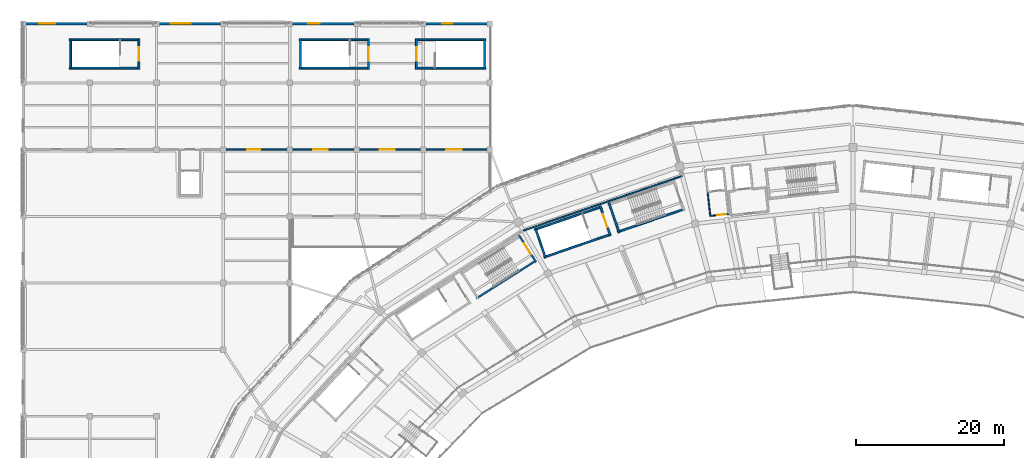
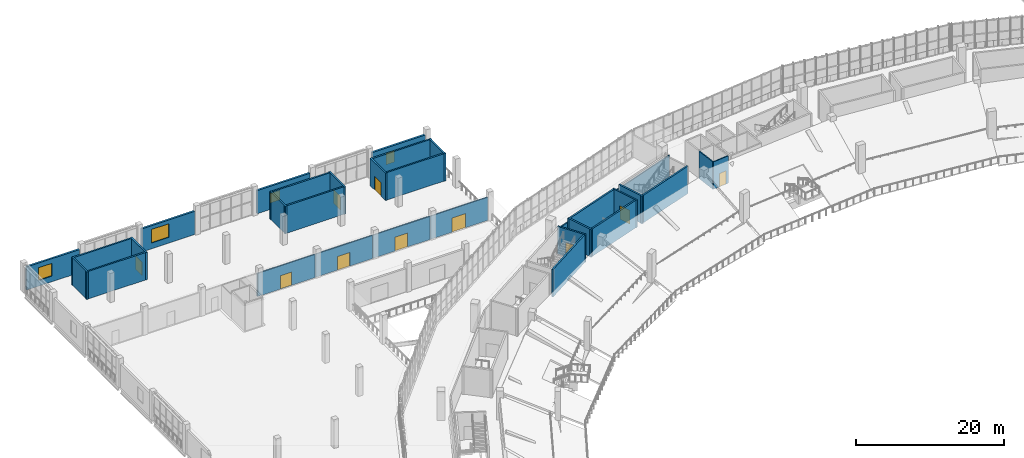
# One storey, part 99 of 152: 31 walls, 10 doors, 4 windows, 14 openings.
"""IFC4 building model written with IfcOpenShell, lengths in metres."""

from ifc_helpers import new_model, si_unit, direction, frame, frame_2d, origin, place, context, subcontext, project, spatial, rectangle, extrude, material, layer, layer_set, type_object, element, fill, save


model = new_model("IFC4")

# Units and contexts
model_context = context("Model", 3, precision=1e-05, world=origin(), true_north=direction((0.0, 1.0)))
body_context = subcontext(model_context, "Body", "Model", "MODEL_VIEW")
ifc_project = project(units=[si_unit("LENGTHUNIT", "METRE"), si_unit("AREAUNIT", "SQUARE_METRE"), si_unit("VOLUMEUNIT", "CUBIC_METRE"), si_unit("PLANEANGLEUNIT", "RADIAN"), si_unit("MASSUNIT", "GRAM", prefix="KILO")], contexts=[model_context])

# Site, building, storey
site_placement = place(None, origin())
site = spatial("IfcSite", under=ifc_project, at=site_placement, CompositionType="ELEMENT")
building_placement = place(site_placement, origin())
building = spatial("IfcBuilding", under=site, at=building_placement, Name="Zevraka Park Crest Stadium", CompositionType="ELEMENT")
storey_placement = place(building_placement, frame((0.0, 0.0, 15.0)))
storey = spatial("IfcBuildingStorey", under=building, at=storey_placement, Name="L03", CompositionType="ELEMENT", Elevation=15.0)

# Wall, opening, window
ifc_material_1 = material(Name="Limestone and red clay brick masonry", Category="masonry")
ifc_layer_1 = layer(ifc_material_1, 0.300048828125)
ifc_layer_set_1 = layer_set([ifc_layer_1], Name="Limestone and red clay brick masonry")
wall_type_1 = type_object("IfcWallType", Name="EW02", PredefinedType="STANDARD", material=ifc_layer_set_1)
wall_1_placement = place(storey_placement, frame((0.35009765625, 184.0, 0.0), z_axis=(0.0, 0.0, 1.0), x_axis=(1.0, 0.0, 0.0)))
wall_1 = element("IfcWall", 1, at=wall_1_placement, inside=storey, type_object=wall_type_1, Name="Wing External Cavity Wall EW02 L03-NW-N2-1", PredefinedType="STANDARD", context=body_context, shape_type="SweptSolid", body=[
    extrude(rectangle(XDim=8.2998046875, YDim=0.300048828125, at=frame_2d((4.14990234375, 0.0))), origin(), (0.0, 0.0, 1.0), 3.823486328125),
])
opening_1_placement = place(wall_1_placement, frame((1.85498046875, 0.0, 0.949951171875)))
opening_1 = element("IfcOpeningElement", 2, at=opening_1_placement, cuts=wall_1, Name="Opening WN06", PredefinedType="OPENING", context=body_context, shape_type="SweptSolid", body=[
    extrude(rectangle(XDim=2.10009765625, YDim=2.10009765625, at=frame_2d((1.050048828125, 1.050048828125))), frame((0.0, 0.159912109375, 0.0), z_axis=(0.0, -1.0, 0.0), x_axis=(1.0, 0.0, 0.0)), (0.0, 0.0, 1.0), 0.320068359375),
])
ifc_material_2 = material(Name="Solar-control laminated double glazing in aluminium frame", Category="aluminium")
window_type_1 = type_object("IfcWindowType", Name="WN06", PartitioningType="SINGLE_PANEL", PredefinedType="WINDOW", material=ifc_material_2)
window_1_placement = place(opening_1_placement, origin())
window_1 = element("IfcWindow", 3, at=window_1_placement, inside=storey, type_object=window_type_1, Name="Facade Casement Window WN06 W-L03-047", OverallHeight=2.10009765625, OverallWidth=2.10009765625, PartitioningType="SINGLE_PANEL", PredefinedType="WINDOW", context=body_context, shape_type="SweptSolid", body=[
    extrude(rectangle(XDim=2.10009765625, YDim=2.10009765625, at=frame_2d((1.050048828125, 1.050048828125))), frame((0.0, 0.030029296875, 0.0), z_axis=(0.0, -1.0, 0.0), x_axis=(1.0, 0.0, 0.0)), (0.0, 0.0, 1.0), 0.06005859375),
])
fill(opening_1, window_1)

wall_2_placement = place(storey_placement, frame((18.35009765625, 184.0, 0.0), z_axis=(0.0, 0.0, 1.0), x_axis=(1.0, 0.0, 0.0)))
wall_2 = element("IfcWall", 4, at=wall_2_placement, inside=storey, type_object=wall_type_1, Name="Wing External Cavity Wall EW02 L03-NW-N2-3", PredefinedType="STANDARD", context=body_context, shape_type="SweptSolid", body=[
    extrude(rectangle(XDim=8.2998046875, YDim=0.300048828125, at=frame_2d((4.14990234375, 0.0))), origin(), (0.0, 0.0, 1.0), 3.823486328125),
])
opening_2_placement = place(wall_2_placement, frame((1.554931640625, 0.0, 0.949951171875)))
opening_2 = element("IfcOpeningElement", 5, at=opening_2_placement, cuts=wall_2, Name="Opening WN07", PredefinedType="OPENING", context=body_context, shape_type="SweptSolid", body=[
    extrude(rectangle(XDim=2.699951171875, YDim=2.25, at=frame_2d((1.35009765625, 1.125))), frame((0.0, 0.159912109375, 0.0), z_axis=(0.0, -1.0, 0.0), x_axis=(1.0, 0.0, 0.0)), (0.0, 0.0, 1.0), 0.320068359375),
])
ifc_material_3 = material(Name="Solar-control laminated double glazing in aluminium frame", Category="aluminium")
window_type_2 = type_object("IfcWindowType", Name="WN07", PartitioningType="SINGLE_PANEL", PredefinedType="WINDOW", material=ifc_material_3)
window_2_placement = place(opening_2_placement, origin())
window_2 = element("IfcWindow", 6, at=window_2_placement, inside=storey, type_object=window_type_2, Name="Facade Casement Window WN07 W-L03-048", OverallHeight=2.25, OverallWidth=2.699951171875, PartitioningType="SINGLE_PANEL", PredefinedType="WINDOW", context=body_context, shape_type="SweptSolid", body=[
    extrude(rectangle(XDim=2.699951171875, YDim=2.25, at=frame_2d((1.35009765625, 1.125))), frame((0.0, 0.030029296875, 0.0), z_axis=(0.0, -1.0, 0.0), x_axis=(1.0, 0.0, 0.0)), (0.0, 0.0, 1.0), 0.06005859375),
])
fill(opening_2, window_2)

wall_3_placement = place(storey_placement, frame((36.35009765625, 184.0, 0.0), z_axis=(0.0, 0.0, 1.0), x_axis=(1.0, 0.0, 0.0)))
wall_3 = element("IfcWall", 7, at=wall_3_placement, inside=storey, type_object=wall_type_1, Name="Wing External Cavity Wall EW02 L03-NW-N2-5", PredefinedType="STANDARD", context=body_context, shape_type="SweptSolid", body=[
    extrude(rectangle(XDim=8.2998046875, YDim=0.300048828125, at=frame_2d((4.14990234375, 0.0))), origin(), (0.0, 0.0, 1.0), 3.823486328125),
])
opening_3_placement = place(wall_3_placement, frame((2.10498046875, 0.0, 0.949951171875)))
opening_3 = element("IfcOpeningElement", 8, at=opening_3_placement, cuts=wall_3, Name="Opening WN08", PredefinedType="OPENING", context=body_context, shape_type="SweptSolid", body=[
    extrude(rectangle(XDim=1.60009765625, YDim=1.60009765625, at=frame_2d((0.800048828125, 0.800048828125))), frame((0.0, 0.159912109375, 0.0), z_axis=(0.0, -1.0, 0.0), x_axis=(1.0, 0.0, 0.0)), (0.0, 0.0, 1.0), 0.320068359375),
])
ifc_material_4 = material(Name="Solar-control laminated double glazing in aluminium frame", Category="aluminium")
window_type_3 = type_object("IfcWindowType", Name="WN08", PartitioningType="SINGLE_PANEL", PredefinedType="WINDOW", material=ifc_material_4)
window_3_placement = place(opening_3_placement, origin())
window_3 = element("IfcWindow", 9, at=window_3_placement, inside=storey, type_object=window_type_3, Name="Facade Casement Window WN08 W-L03-049", OverallHeight=1.60009765625, OverallWidth=1.60009765625, PartitioningType="SINGLE_PANEL", PredefinedType="WINDOW", context=body_context, shape_type="SweptSolid", body=[
    extrude(rectangle(XDim=1.60009765625, YDim=1.60009765625, at=frame_2d((0.800048828125, 0.800048828125))), frame((0.0, 0.030029296875, 0.0), z_axis=(0.0, -1.0, 0.0), x_axis=(1.0, 0.0, 0.0)), (0.0, 0.0, 1.0), 0.06005859375),
])
fill(opening_3, window_3)

wall_4_placement = place(storey_placement, frame((54.35009765625, 184.0, 0.0), z_axis=(0.0, 0.0, 1.0), x_axis=(1.0, 0.0, 0.0)))
wall_4 = element("IfcWall", 10, at=wall_4_placement, inside=storey, type_object=wall_type_1, Name="Wing External Cavity Wall EW02 L03-NW-N2-7", PredefinedType="STANDARD", context=body_context, shape_type="SweptSolid", body=[
    extrude(rectangle(XDim=8.2998046875, YDim=0.300048828125, at=frame_2d((4.14990234375, 0.0))), origin(), (0.0, 0.0, 1.0), 3.823486328125),
])
opening_4_placement = place(wall_4_placement, frame((2.22998046875, 0.0, 0.949951171875)))
opening_4 = element("IfcOpeningElement", 11, at=opening_4_placement, cuts=wall_4, Name="Opening WN09", PredefinedType="OPENING", context=body_context, shape_type="SweptSolid", body=[
    extrude(rectangle(XDim=1.35009765625, YDim=1.89990234375, at=frame_2d((0.675048828125, 0.949951171875))), frame((0.0, 0.159912109375, 0.0), z_axis=(0.0, -1.0, 0.0), x_axis=(1.0, 0.0, 0.0)), (0.0, 0.0, 1.0), 0.320068359375),
])
ifc_material_5 = material(Name="Solar-control laminated double glazing in aluminium frame", Category="aluminium")
window_type_4 = type_object("IfcWindowType", Name="WN09", PartitioningType="SINGLE_PANEL", PredefinedType="WINDOW", material=ifc_material_5)
window_4_placement = place(opening_4_placement, origin())
window_4 = element("IfcWindow", 12, at=window_4_placement, inside=storey, type_object=window_type_4, Name="Facade Casement Window WN09 W-L03-050", OverallHeight=1.89990234375, OverallWidth=1.35009765625, PartitioningType="SINGLE_PANEL", PredefinedType="WINDOW", context=body_context, shape_type="SweptSolid", body=[
    extrude(rectangle(XDim=1.35009765625, YDim=1.89990234375, at=frame_2d((0.675048828125, 0.949951171875))), frame((0.0, 0.030029296875, 0.0), z_axis=(0.0, -1.0, 0.0), x_axis=(1.0, 0.0, 0.0)), (0.0, 0.0, 1.0), 0.06005859375),
])
fill(opening_4, window_4)

# Wall
ifc_material_6 = material(Name="Fire-rated twin-stud acoustic drywall", Category="other")
ifc_layer_2 = layer(ifc_material_6, 0.159912109375)
ifc_layer_set_2 = layer_set([ifc_layer_2], Name="Fire-rated twin-stud acoustic drywall")
wall_type_2 = type_object("IfcWallType", Name="IW02", PredefinedType="PARTITIONING", material=ifc_layer_set_2)
wall_5_placement = place(storey_placement, frame((92.403076171875, 161.200927734375, 0.0), z_axis=(0.0, 0.0, 1.0), x_axis=(0.108800302456, -0.99406362683, 0.0)))
element("IfcWall", 13, at=wall_5_placement, inside=storey, type_object=wall_type_2, Name="Passenger Lift Lobby Wall IW02 PL02 L03 LEFT", PredefinedType="PARTITIONING", context=body_context, shape_type="SweptSolid", body=[
    extrude(rectangle(XDim=3.170654296875, YDim=0.159912109375, at=frame_2d((1.58544921875, 0.0))), origin(), (0.0, 0.0, 1.0), 4.52001953125),
])

# Wall, opening, door
wall_6_placement = place(storey_placement, frame((92.748046875, 158.049072265625, 0.0), z_axis=(0.0, 0.0, 1.0), x_axis=(0.994058887757, 0.1088435927, 0.0)))
wall_6 = element("IfcWall", 14, at=wall_6_placement, inside=storey, type_object=wall_type_2, Name="Passenger Lift Lobby Wall IW02 PL02 L03 FRONT", PredefinedType="PARTITIONING", context=body_context, shape_type="SweptSolid", body=[
    extrude(rectangle(XDim=2.480712890625, YDim=0.159912109375, at=frame_2d((1.240234375, 0.0))), origin(), (0.0, 0.0, 1.0), 4.52001953125),
])
opening_5_placement = place(wall_6_placement, frame((0.962890625, 0.0, 0.0)))
opening_5 = element("IfcOpeningElement", 15, at=opening_5_placement, cuts=wall_6, Name="Opening D-L03-304", PredefinedType="OPENING", context=body_context, shape_type="SweptSolid", body=[
    extrude(rectangle(XDim=1.14990234375, YDim=2.199951171875, at=frame_2d((0.574951171875, 1.10009765625))), frame((0.0, 0.08984375, 0.0), z_axis=(0.0, -1.0, 0.0), x_axis=(1.0, 0.0, 0.0)), (0.0, 0.0, 1.0), 0.179931640625),
])
ifc_material_7 = material(Name="Solid-core hardwood timber leaf in steel frame", Category="steel")
door_type_1 = type_object("IfcDoorType", Name="DR03", OperationType="NOTDEFINED", PredefinedType="DOOR", material=ifc_material_7)
door_1_placement = place(opening_5_placement, origin())
door_1 = element("IfcDoor", 16, at=door_1_placement, inside=storey, type_object=door_type_1, Name="Passenger Lift Lobby PL02 Door D-L03-304", OperationType="SINGLE_SWING_RIGHT", OverallHeight=2.199951171875, OverallWidth=1.14990234375, PredefinedType="DOOR", context=body_context, shape_type="SweptSolid", body=[
    extrude(rectangle(XDim=1.14990234375, YDim=2.199951171875, at=frame_2d((0.574951171875, 1.10009765625))), frame((0.0, 0.02490234375, 0.0), z_axis=(0.0, -1.0, 0.0), x_axis=(1.0, 0.0, 0.0)), (0.0, 0.0, 1.0), 0.050048828125),
])
fill(opening_5, door_1)

# Wall
ifc_material_8 = material(Name="Fire-rated twin-stud acoustic drywall", Category="other")
ifc_layer_3 = layer(ifc_material_8, 0.179931640625)
ifc_layer_set_3 = layer_set([ifc_layer_3], Name="Fire-rated twin-stud acoustic drywall")
wall_type_3 = type_object("IfcWallType", Name="IW06", PredefinedType="PARTITIONING", material=ifc_layer_set_3)
wall_7_placement = place(storey_placement, frame((88.969970703125, 163.458984375, 0.0), z_axis=(0.0, 0.0, 1.0), x_axis=(-0.945509956828, -0.32559318411, 0.0)))
element("IfcWall", 17, at=wall_7_placement, inside=storey, type_object=wall_type_3, Name="Interior Partition IW06 Park View Supporter Bar L03", PredefinedType="PARTITIONING", context=body_context, shape_type="SweptSolid", body=[
    extrude(rectangle(XDim=22.69677734375, YDim=0.179931640625, at=frame_2d((11.348388671875, 0.0))), origin(), (0.0, 0.0, 1.0), 3.6650390625),
])

# Wall, opening, door
wall_8_placement = place(storey_placement, frame((26.625, 167.0, 0.0), z_axis=(0.0, 0.0, 1.0), x_axis=(1.0, 0.0, 0.0)))
wall_8 = element("IfcWall", 18, at=wall_8_placement, inside=storey, type_object=wall_type_3, Name="Interior Partition IW06 Garden-Court Veranda Viewing Lounge L03", PredefinedType="PARTITIONING", context=body_context, shape_type="SweptSolid", body=[
    extrude(rectangle(XDim=9.014892578125, YDim=0.179931640625, at=frame_2d((4.50732421875, 0.0))), origin(), (0.0, 0.0, 1.0), 3.823486328125),
])
opening_6_placement = place(wall_8_placement, frame((3.657958984375, 0.0, 0.0)))
opening_6 = element("IfcOpeningElement", 19, at=opening_6_placement, cuts=wall_8, Name="Opening D-L03-458", PredefinedType="OPENING", context=body_context, shape_type="SweptSolid", body=[
    extrude(rectangle(XDim=1.699951171875, YDim=2.199951171875, at=frame_2d((0.85009765625, 1.10009765625))), frame((0.0, 0.099853515625, 0.0), z_axis=(0.0, -1.0, 0.0), x_axis=(1.0, 0.0, 0.0)), (0.0, 0.0, 1.0), 0.199951171875),
])
ifc_material_9 = material(Name="Solid-core hardwood timber leaf in steel frame", Category="steel")
door_type_2 = type_object("IfcDoorType", Name="DR14", OperationType="NOTDEFINED", PredefinedType="DOOR", material=ifc_material_9)
door_2_placement = place(opening_6_placement, origin())
door_2 = element("IfcDoor", 20, at=door_2_placement, inside=storey, type_object=door_type_2, Name="Garden-Court Veranda Viewing Lounge Door D-L03-458", OperationType="DOUBLE_DOOR_SINGLE_SWING", OverallHeight=2.199951171875, OverallWidth=1.699951171875, PredefinedType="DOOR", context=body_context, shape_type="SweptSolid", body=[
    extrude(rectangle(XDim=1.699951171875, YDim=2.199951171875, at=frame_2d((0.85009765625, 1.10009765625))), frame((0.0, 0.02490234375, 0.0), z_axis=(0.0, -1.0, 0.0), x_axis=(1.0, 0.0, 0.0)), (0.0, 0.0, 1.0), 0.050048828125),
])
fill(opening_6, door_2)

wall_9_placement = place(storey_placement, frame((35.625, 167.0, 0.0), z_axis=(0.0, 0.0, 1.0), x_axis=(1.0, 0.0, 0.0)))
wall_9 = element("IfcWall", 21, at=wall_9_placement, inside=storey, type_object=wall_type_3, Name="Interior Partition IW06 Garden-Court Veranda Viewing Lounge L03", PredefinedType="PARTITIONING", context=body_context, shape_type="SweptSolid", body=[
    extrude(rectangle(XDim=9.014892578125, YDim=0.179931640625, at=frame_2d((4.50732421875, 0.0))), origin(), (0.0, 0.0, 1.0), 3.823486328125),
])
opening_7_placement = place(wall_9_placement, frame((3.55810546875, 0.0, 0.0)))
opening_7 = element("IfcOpeningElement", 22, at=opening_7_placement, cuts=wall_9, Name="Opening D-L03-459", PredefinedType="OPENING", context=body_context, shape_type="SweptSolid", body=[
    extrude(rectangle(XDim=1.89990234375, YDim=2.25, at=frame_2d((0.949951171875, 1.125))), frame((0.0, 0.099853515625, 0.0), z_axis=(0.0, -1.0, 0.0), x_axis=(1.0, 0.0, 0.0)), (0.0, 0.0, 1.0), 0.199951171875),
])
ifc_material_10 = material(Name="Solid-core hardwood timber leaf in steel frame", Category="steel")
door_type_3 = type_object("IfcDoorType", Name="DR15", OperationType="NOTDEFINED", PredefinedType="DOOR", material=ifc_material_10)
door_3_placement = place(opening_7_placement, origin())
door_3 = element("IfcDoor", 23, at=door_3_placement, inside=storey, type_object=door_type_3, Name="Garden-Court Veranda Viewing Lounge Door D-L03-459", OperationType="DOUBLE_DOOR_SINGLE_SWING", OverallHeight=2.25, OverallWidth=1.89990234375, PredefinedType="DOOR", context=body_context, shape_type="SweptSolid", body=[
    extrude(rectangle(XDim=1.89990234375, YDim=2.25, at=frame_2d((0.949951171875, 1.125))), frame((0.0, 0.02490234375, 0.0), z_axis=(0.0, -1.0, 0.0), x_axis=(1.0, 0.0, 0.0)), (0.0, 0.0, 1.0), 0.050048828125),
])
fill(opening_7, door_3)

wall_10_placement = place(storey_placement, frame((44.625, 167.0, 0.0), z_axis=(0.0, 0.0, 1.0), x_axis=(1.0, 0.0, 0.0)))
wall_10 = element("IfcWall", 24, at=wall_10_placement, inside=storey, type_object=wall_type_3, Name="Interior Partition IW06 Garden-Court Veranda Viewing Lounge L03", PredefinedType="PARTITIONING", context=body_context, shape_type="SweptSolid", body=[
    extrude(rectangle(XDim=9.014892578125, YDim=0.179931640625, at=frame_2d((4.50732421875, 0.0))), origin(), (0.0, 0.0, 1.0), 3.823486328125),
])
opening_8_placement = place(wall_10_placement, frame((3.508056640625, 0.0, 0.0)))
opening_8 = element("IfcOpeningElement", 25, at=opening_8_placement, cuts=wall_10, Name="Opening D-L03-460", PredefinedType="OPENING", context=body_context, shape_type="SweptSolid", body=[
    extrude(rectangle(XDim=2.0, YDim=2.300048828125, at=frame_2d((1.0, 1.14990234375))), frame((0.0, 0.099853515625, 0.0), z_axis=(0.0, -1.0, 0.0), x_axis=(1.0, 0.0, 0.0)), (0.0, 0.0, 1.0), 0.199951171875),
])
ifc_material_11 = material(Name="Solid-core hardwood timber leaf in steel frame", Category="steel")
door_type_4 = type_object("IfcDoorType", Name="DR16", OperationType="NOTDEFINED", PredefinedType="DOOR", material=ifc_material_11)
door_4_placement = place(opening_8_placement, origin())
door_4 = element("IfcDoor", 26, at=door_4_placement, inside=storey, type_object=door_type_4, Name="Garden-Court Veranda Viewing Lounge Door D-L03-460", OperationType="DOUBLE_DOOR_SINGLE_SWING", OverallHeight=2.300048828125, OverallWidth=2.0, PredefinedType="DOOR", context=body_context, shape_type="SweptSolid", body=[
    extrude(rectangle(XDim=2.0, YDim=2.300048828125, at=frame_2d((1.0, 1.14990234375))), frame((0.0, 0.02490234375, 0.0), z_axis=(0.0, -1.0, 0.0), x_axis=(1.0, 0.0, 0.0)), (0.0, 0.0, 1.0), 0.050048828125),
])
fill(opening_8, door_4)

wall_11_placement = place(storey_placement, frame((53.625, 167.0, 0.0), z_axis=(0.0, 0.0, 1.0), x_axis=(1.0, 0.0, 0.0)))
wall_11 = element("IfcWall", 27, at=wall_11_placement, inside=storey, type_object=wall_type_3, Name="Interior Partition IW06 Garden-Court Veranda Viewing Lounge L03", PredefinedType="PARTITIONING", context=body_context, shape_type="SweptSolid", body=[
    extrude(rectangle(XDim=9.014892578125, YDim=0.179931640625, at=frame_2d((4.50732421875, 0.0))), origin(), (0.0, 0.0, 1.0), 3.823486328125),
])
opening_9_placement = place(wall_11_placement, frame((3.4580078125, 0.0, 0.0)))
opening_9 = element("IfcOpeningElement", 28, at=opening_9_placement, cuts=wall_11, Name="Opening D-L03-461", PredefinedType="OPENING", context=body_context, shape_type="SweptSolid", body=[
    extrude(rectangle(XDim=2.10009765625, YDim=2.35009765625, at=frame_2d((1.050048828125, 1.175048828125))), frame((0.0, 0.099853515625, 0.0), z_axis=(0.0, -1.0, 0.0), x_axis=(1.0, 0.0, 0.0)), (0.0, 0.0, 1.0), 0.199951171875),
])
ifc_material_12 = material(Name="Solid-core hardwood timber leaf in steel frame", Category="steel")
door_type_5 = type_object("IfcDoorType", Name="DR17", OperationType="NOTDEFINED", PredefinedType="DOOR", material=ifc_material_12)
door_5_placement = place(opening_9_placement, origin())
door_5 = element("IfcDoor", 29, at=door_5_placement, inside=storey, type_object=door_type_5, Name="Garden-Court Veranda Viewing Lounge Door D-L03-461", OperationType="DOUBLE_DOOR_SINGLE_SWING", OverallHeight=2.35009765625, OverallWidth=2.10009765625, PredefinedType="DOOR", context=body_context, shape_type="SweptSolid", body=[
    extrude(rectangle(XDim=2.10009765625, YDim=2.35009765625, at=frame_2d((1.050048828125, 1.175048828125))), frame((0.0, 0.02490234375, 0.0), z_axis=(0.0, -1.0, 0.0), x_axis=(1.0, 0.0, 0.0)), (0.0, 0.0, 1.0), 0.050048828125),
])
fill(opening_9, door_5)

# Walls
ifc_material_13 = material(Name="Concrete C40/50", Category="concrete")
ifc_layer_4 = layer(ifc_material_13, 0.25)
ifc_layer_set_4 = layer_set([ifc_layer_4], Name="Concrete C40/50")
wall_type_4 = type_object("IfcWallType", Name="SW01", PredefinedType="SHEAR", material=ifc_layer_set_4)
wall_12_placement = place(storey_placement, frame((80.2275390625, 155.883056640625, 0.0), z_axis=(0.0, 0.0, 1.0), x_axis=(0.946067107432, 0.323970721263, 0.0)))
element("IfcWall", 30, at=wall_12_placement, inside=storey, type_object=wall_type_4, Name="Stair Core Shear Wall SW01 ST08 L03 right", PredefinedType="SHEAR", context=body_context, shape_type="SweptSolid", body=[
    extrude(rectangle(XDim=9.55029296875, YDim=0.25, at=frame_2d((4.775146484375, 0.0))), origin(), (0.0, 0.0, 1.0), 4.5400390625),
])
wall_13_placement = place(storey_placement, frame((79.07763671875, 159.8125, 0.0), z_axis=(0.0, 0.0, 1.0), x_axis=(0.323971192516, -0.946066946056, 0.0)))
element("IfcWall", 31, at=wall_13_placement, inside=storey, type_object=wall_type_4, Name="Stair Core Shear Wall SW01 ST08 L03 far", PredefinedType="SHEAR", context=body_context, shape_type="SweptSolid", body=[
    extrude(rectangle(XDim=4.260009765625, YDim=0.25, at=frame_2d((2.1298828125, 0.0))), origin(), (0.0, 0.0, 1.0), 4.5400390625),
])
wall_14_placement = place(storey_placement, frame((61.183349609375, 146.917236328125, 0.0), z_axis=(0.0, 0.0, 1.0), x_axis=(0.844391246241, 0.535727004427, 0.0)))
element("IfcWall", 32, at=wall_14_placement, inside=storey, type_object=wall_type_4, Name="Stair Core Shear Wall SW01 ST09 L03 right", PredefinedType="SHEAR", context=body_context, shape_type="SweptSolid", body=[
    extrude(rectangle(XDim=9.550048828125, YDim=0.25, at=frame_2d((4.77490234375, 0.0))), origin(), (0.0, 0.0, 1.0), 4.5400390625),
])

# Wall, opening, door
wall_15_placement = place(storey_placement, frame((69.232666015625, 151.822998046875, 0.0), z_axis=(0.0, 0.0, 1.0), x_axis=(-0.535684577572, 0.844418162613, 0.0)))
wall_15 = element("IfcWall", 33, at=wall_15_placement, inside=storey, type_object=wall_type_4, Name="Stair Core Shear Wall SW01 ST09 L03 near", PredefinedType="SHEAR", context=body_context, shape_type="SweptSolid", body=[
    extrude(rectangle(XDim=4.260009765625, YDim=0.25, at=frame_2d((2.1298828125, 0.0))), origin(), (0.0, 0.0, 1.0), 4.5400390625),
])
opening_10_placement = place(wall_15_placement, frame((1.22998046875, 0.0, 0.0)))
opening_10 = element("IfcOpeningElement", 34, at=opening_10_placement, cuts=wall_15, Name="Opening D-L03-055", PredefinedType="OPENING", context=body_context, shape_type="SweptSolid", body=[
    extrude(rectangle(XDim=1.800048828125, YDim=2.25, at=frame_2d((0.89990234375, 1.125))), frame((0.0, 0.135009765625, 0.0), z_axis=(0.0, -1.0, 0.0), x_axis=(1.0, 0.0, 0.0)), (0.0, 0.0, 1.0), 0.27001953125),
])
ifc_material_14 = material(Name="Solid-core hardwood timber leaf in steel frame", Category="steel")
door_type_6 = type_object("IfcDoorType", Name="DR04", OperationType="NOTDEFINED", PredefinedType="DOOR", material=ifc_material_14)
door_6_placement = place(opening_10_placement, origin())
door_6 = element("IfcDoor", 35, at=door_6_placement, inside=storey, type_object=door_type_6, Name="Protected Stair Entry Door ST09 L03", OperationType="DOUBLE_DOOR_SINGLE_SWING", OverallHeight=2.25, OverallWidth=1.800048828125, PredefinedType="DOOR", context=body_context, shape_type="SweptSolid", body=[
    extrude(rectangle(XDim=1.800048828125, YDim=2.25, at=frame_2d((0.89990234375, 1.125))), frame((0.0, 0.02490234375, 0.0), z_axis=(0.0, -1.0, 0.0), x_axis=(1.0, 0.0, 0.0)), (0.0, 0.0, 1.0), 0.050048828125),
])
fill(opening_10, door_6)

# Walls
for number, where, z_axis, x_axis, name in (
    (36, (78.05859375, 159.28466796875, 0.0), (0.0, 0.0, 1.0), (-0.946064424228, -0.323978556712, 0.0), "Stair Core Shear Wall SW01 ST27 L03 left"),
    (37, (70.293701171875, 152.482177734375, 0.0), (0.0, 0.0, 1.0), (0.946064424228, 0.323978556712, 0.0), "Stair Core Shear Wall SW01 ST27 L03 right"),
):
    element("IfcWall", number, at=place(storey_placement, frame(where, z_axis=z_axis, x_axis=x_axis)), inside=storey, type_object=wall_type_4, Name=name, PredefinedType="SHEAR", context=body_context, shape_type="SweptSolid", body=[
        extrude(rectangle(XDim=9.550048828125, YDim=0.25, at=frame_2d((4.77490234375, 0.0))), origin(), (0.0, 0.0, 1.0), 4.5400390625),
    ])

# Wall, opening, door
wall_16_placement = place(storey_placement, frame((79.265380859375, 155.374755859375, 0.0), z_axis=(0.0, 0.0, 1.0), x_axis=(-0.323971192516, 0.946066946056, 0.0)))
wall_16 = element("IfcWall", 38, at=wall_16_placement, inside=storey, type_object=wall_type_4, Name="Stair Core Shear Wall SW01 ST27 L03 near", PredefinedType="SHEAR", context=body_context, shape_type="SweptSolid", body=[
    extrude(rectangle(XDim=4.260009765625, YDim=0.25, at=frame_2d((2.1298828125, 0.0))), origin(), (0.0, 0.0, 1.0), 4.5400390625),
])
opening_11_placement = place(wall_16_placement, frame((1.22998046875, 0.0, 0.0)))
opening_11 = element("IfcOpeningElement", 39, at=opening_11_placement, cuts=wall_16, Name="Opening D-L03-159", PredefinedType="OPENING", context=body_context, shape_type="SweptSolid", body=[
    extrude(rectangle(XDim=1.800048828125, YDim=2.25, at=frame_2d((0.89990234375, 1.125))), frame((0.0, 0.135009765625, 0.0), z_axis=(0.0, -1.0, 0.0), x_axis=(1.0, 0.0, 0.0)), (0.0, 0.0, 1.0), 0.27001953125),
])
door_7_placement = place(opening_11_placement, origin())
door_7 = element("IfcDoor", 40, at=door_7_placement, inside=storey, type_object=door_type_6, Name="Protected Stair Entry Door ST27 L03", OperationType="DOUBLE_DOOR_SINGLE_SWING", OverallHeight=2.25, OverallWidth=1.800048828125, PredefinedType="DOOR", context=body_context, shape_type="SweptSolid", body=[
    extrude(rectangle(XDim=1.800048828125, YDim=2.25, at=frame_2d((0.89990234375, 1.125))), frame((0.0, 0.02490234375, 0.0), z_axis=(0.0, -1.0, 0.0), x_axis=(1.0, 0.0, 0.0)), (0.0, 0.0, 1.0), 0.050048828125),
])
fill(opening_11, door_7)

# Walls
wall_17_placement = place(storey_placement, frame((69.1435546875, 156.411376953125, 0.0), z_axis=(0.0, 0.0, 1.0), x_axis=(0.323988758717, -0.946060930504, 0.0)))
element("IfcWall", 41, at=wall_17_placement, inside=storey, type_object=wall_type_4, Name="Stair Core Shear Wall SW01 ST27 L03 far", PredefinedType="SHEAR", context=body_context, shape_type="SweptSolid", body=[
    extrude(rectangle(XDim=4.259765625, YDim=0.25, at=frame_2d((2.1298828125, 0.0))), origin(), (0.0, 0.0, 1.0), 4.5400390625),
])
for number, where, z_axis, x_axis, name in (
    (42, (15.75, 181.830078125, 0.0), (0.0, 0.0, 1.0), (-1.0, 0.0, 0.0), "Stair Core Shear Wall SW01 ST47 L03 left"),
    (43, (6.25, 178.010009765625, 0.0), (0.0, 0.0, 1.0), (1.0, 0.0, 0.0), "Stair Core Shear Wall SW01 ST47 L03 right"),
):
    element("IfcWall", number, at=place(storey_placement, frame(where, z_axis=z_axis, x_axis=x_axis)), inside=storey, type_object=wall_type_4, Name=name, PredefinedType="SHEAR", context=body_context, shape_type="SweptSolid", body=[
        extrude(rectangle(XDim=9.5, YDim=0.25, at=frame_2d((4.75, 0.0))), origin(), (0.0, 0.0, 1.0), 4.5400390625),
    ])

# Wall, opening, door
wall_18_placement = place(storey_placement, frame((15.625, 177.840087890625, 0.0), z_axis=(0.0, 0.0, 1.0), x_axis=(0.0, 1.0, 0.0)))
wall_18 = element("IfcWall", 44, at=wall_18_placement, inside=storey, type_object=wall_type_4, Name="Stair Core Shear Wall SW01 ST47 L03 near", PredefinedType="SHEAR", context=body_context, shape_type="SweptSolid", body=[
    extrude(rectangle(XDim=4.159912109375, YDim=0.25, at=frame_2d((2.080078125, 0.0))), origin(), (0.0, 0.0, 1.0), 4.5400390625),
])
opening_12_placement = place(wall_18_placement, frame((1.179931640625, 0.0, 0.0)))
opening_12 = element("IfcOpeningElement", 45, at=opening_12_placement, cuts=wall_18, Name="Opening D-L03-247", PredefinedType="OPENING", context=body_context, shape_type="SweptSolid", body=[
    extrude(rectangle(XDim=1.800048828125, YDim=2.25, at=frame_2d((0.89990234375, 1.125))), frame((0.0, 0.135009765625, 0.0), z_axis=(0.0, -1.0, 0.0), x_axis=(1.0, 0.0, 0.0)), (0.0, 0.0, 1.0), 0.27001953125),
])
door_8_placement = place(opening_12_placement, origin())
door_8 = element("IfcDoor", 46, at=door_8_placement, inside=storey, type_object=door_type_6, Name="Protected Stair Entry Door ST47 L03", OperationType="DOUBLE_DOOR_SINGLE_SWING", OverallHeight=2.25, OverallWidth=1.800048828125, PredefinedType="DOOR", context=body_context, shape_type="SweptSolid", body=[
    extrude(rectangle(XDim=1.800048828125, YDim=2.25, at=frame_2d((0.89990234375, 1.125))), frame((0.0, 0.02490234375, 0.0), z_axis=(0.0, -1.0, 0.0), x_axis=(1.0, 0.0, 0.0)), (0.0, 0.0, 1.0), 0.050048828125),
])
fill(opening_12, door_8)

# Walls
wall_19_placement = place(storey_placement, frame((6.43505859375, 182.0, 0.0), z_axis=(0.0, 0.0, 1.0), x_axis=(0.0, -1.0, 0.0)))
element("IfcWall", 47, at=wall_19_placement, inside=storey, type_object=wall_type_4, Name="Stair Core Shear Wall SW01 ST47 L03 far", PredefinedType="SHEAR", context=body_context, shape_type="SweptSolid", body=[
    extrude(rectangle(XDim=4.159912109375, YDim=0.25, at=frame_2d((2.080078125, 0.0))), origin(), (0.0, 0.0, 1.0), 4.5400390625),
])
for number, where, z_axis, x_axis, name in (
    (48, (46.75, 181.830078125, 0.0), (0.0, 0.0, 1.0), (-1.0, 0.0, 0.0), "Stair Core Shear Wall SW01 ST49 L03 left"),
    (49, (37.25, 178.010009765625, 0.0), (0.0, 0.0, 1.0), (1.0, 0.0, 0.0), "Stair Core Shear Wall SW01 ST49 L03 right"),
):
    element("IfcWall", number, at=place(storey_placement, frame(where, z_axis=z_axis, x_axis=x_axis)), inside=storey, type_object=wall_type_4, Name=name, PredefinedType="SHEAR", context=body_context, shape_type="SweptSolid", body=[
        extrude(rectangle(XDim=9.5, YDim=0.25, at=frame_2d((4.75, 0.0))), origin(), (0.0, 0.0, 1.0), 4.5400390625),
    ])

# Wall, opening, door
wall_20_placement = place(storey_placement, frame((46.625, 177.840087890625, 0.0), z_axis=(0.0, 0.0, 1.0), x_axis=(0.0, 1.0, 0.0)))
wall_20 = element("IfcWall", 50, at=wall_20_placement, inside=storey, type_object=wall_type_4, Name="Stair Core Shear Wall SW01 ST49 L03 near", PredefinedType="SHEAR", context=body_context, shape_type="SweptSolid", body=[
    extrude(rectangle(XDim=4.159912109375, YDim=0.25, at=frame_2d((2.080078125, 0.0))), origin(), (0.0, 0.0, 1.0), 4.5400390625),
])
opening_13_placement = place(wall_20_placement, frame((1.179931640625, 0.0, 0.0)))
opening_13 = element("IfcOpeningElement", 51, at=opening_13_placement, cuts=wall_20, Name="Opening D-L03-257", PredefinedType="OPENING", context=body_context, shape_type="SweptSolid", body=[
    extrude(rectangle(XDim=1.800048828125, YDim=2.25, at=frame_2d((0.89990234375, 1.125))), frame((0.0, 0.135009765625, 0.0), z_axis=(0.0, -1.0, 0.0), x_axis=(1.0, 0.0, 0.0)), (0.0, 0.0, 1.0), 0.27001953125),
])
door_9_placement = place(opening_13_placement, origin())
door_9 = element("IfcDoor", 52, at=door_9_placement, inside=storey, type_object=door_type_6, Name="Protected Stair Entry Door ST49 L03", OperationType="DOUBLE_DOOR_SINGLE_SWING", OverallHeight=2.25, OverallWidth=1.800048828125, PredefinedType="DOOR", context=body_context, shape_type="SweptSolid", body=[
    extrude(rectangle(XDim=1.800048828125, YDim=2.25, at=frame_2d((0.89990234375, 1.125))), frame((0.0, 0.02490234375, 0.0), z_axis=(0.0, -1.0, 0.0), x_axis=(1.0, 0.0, 0.0)), (0.0, 0.0, 1.0), 0.050048828125),
])
fill(opening_13, door_9)

# Walls
wall_21_placement = place(storey_placement, frame((37.43505859375, 182.0, 0.0), z_axis=(0.0, 0.0, 1.0), x_axis=(0.0, -1.0, 0.0)))
element("IfcWall", 53, at=wall_21_placement, inside=storey, type_object=wall_type_4, Name="Stair Core Shear Wall SW01 ST49 L03 far", PredefinedType="SHEAR", context=body_context, shape_type="SweptSolid", body=[
    extrude(rectangle(XDim=4.159912109375, YDim=0.25, at=frame_2d((2.080078125, 0.0))), origin(), (0.0, 0.0, 1.0), 4.5400390625),
])
for number, where, z_axis, x_axis, name in (
    (54, (52.949951171875, 178.010009765625, 0.0), (0.0, 0.0, 1.0), (1.0, 0.0, 0.0), "Stair Core Shear Wall SW01 ST50 L03 left"),
    (55, (62.449951171875, 181.830078125, 0.0), (0.0, 0.0, 1.0), (-1.0, 0.0, 0.0), "Stair Core Shear Wall SW01 ST50 L03 right"),
):
    element("IfcWall", number, at=place(storey_placement, frame(where, z_axis=z_axis, x_axis=x_axis)), inside=storey, type_object=wall_type_4, Name=name, PredefinedType="SHEAR", context=body_context, shape_type="SweptSolid", body=[
        extrude(rectangle(XDim=9.5, YDim=0.25, at=frame_2d((4.75, 0.0))), origin(), (0.0, 0.0, 1.0), 4.5400390625),
    ])

# Wall, opening, door
wall_22_placement = place(storey_placement, frame((53.074951171875, 182.0, 0.0), z_axis=(0.0, 0.0, 1.0), x_axis=(0.0, -1.0, 0.0)))
wall_22 = element("IfcWall", 56, at=wall_22_placement, inside=storey, type_object=wall_type_4, Name="Stair Core Shear Wall SW01 ST50 L03 near", PredefinedType="SHEAR", context=body_context, shape_type="SweptSolid", body=[
    extrude(rectangle(XDim=4.159912109375, YDim=0.25, at=frame_2d((2.080078125, 0.0))), origin(), (0.0, 0.0, 1.0), 4.5400390625),
])
opening_14_placement = place(wall_22_placement, frame((1.179931640625, 0.0, 0.0)))
opening_14 = element("IfcOpeningElement", 57, at=opening_14_placement, cuts=wall_22, Name="Opening D-L03-262", PredefinedType="OPENING", context=body_context, shape_type="SweptSolid", body=[
    extrude(rectangle(XDim=1.800048828125, YDim=2.25, at=frame_2d((0.89990234375, 1.125))), frame((0.0, 0.135009765625, 0.0), z_axis=(0.0, -1.0, 0.0), x_axis=(1.0, 0.0, 0.0)), (0.0, 0.0, 1.0), 0.27001953125),
])
door_10_placement = place(opening_14_placement, origin())
door_10 = element("IfcDoor", 58, at=door_10_placement, inside=storey, type_object=door_type_6, Name="Protected Stair Entry Door ST50 L03", OperationType="DOUBLE_DOOR_SINGLE_SWING", OverallHeight=2.25, OverallWidth=1.800048828125, PredefinedType="DOOR", context=body_context, shape_type="SweptSolid", body=[
    extrude(rectangle(XDim=1.800048828125, YDim=2.25, at=frame_2d((0.89990234375, 1.125))), frame((0.0, 0.02490234375, 0.0), z_axis=(0.0, -1.0, 0.0), x_axis=(1.0, 0.0, 0.0)), (0.0, 0.0, 1.0), 0.050048828125),
])
fill(opening_14, door_10)

# Wall
wall_23_placement = place(storey_placement, frame((62.264892578125, 177.840087890625, 0.0), z_axis=(0.0, 0.0, 1.0), x_axis=(0.0, 1.0, 0.0)))
element("IfcWall", 59, at=wall_23_placement, inside=storey, type_object=wall_type_4, Name="Stair Core Shear Wall SW01 ST50 L03 far", PredefinedType="SHEAR", context=body_context, shape_type="SweptSolid", body=[
    extrude(rectangle(XDim=4.159912109375, YDim=0.25, at=frame_2d((2.080078125, 0.0))), origin(), (0.0, 0.0, 1.0), 4.5400390625),
])

save(model, "model.ifc")
